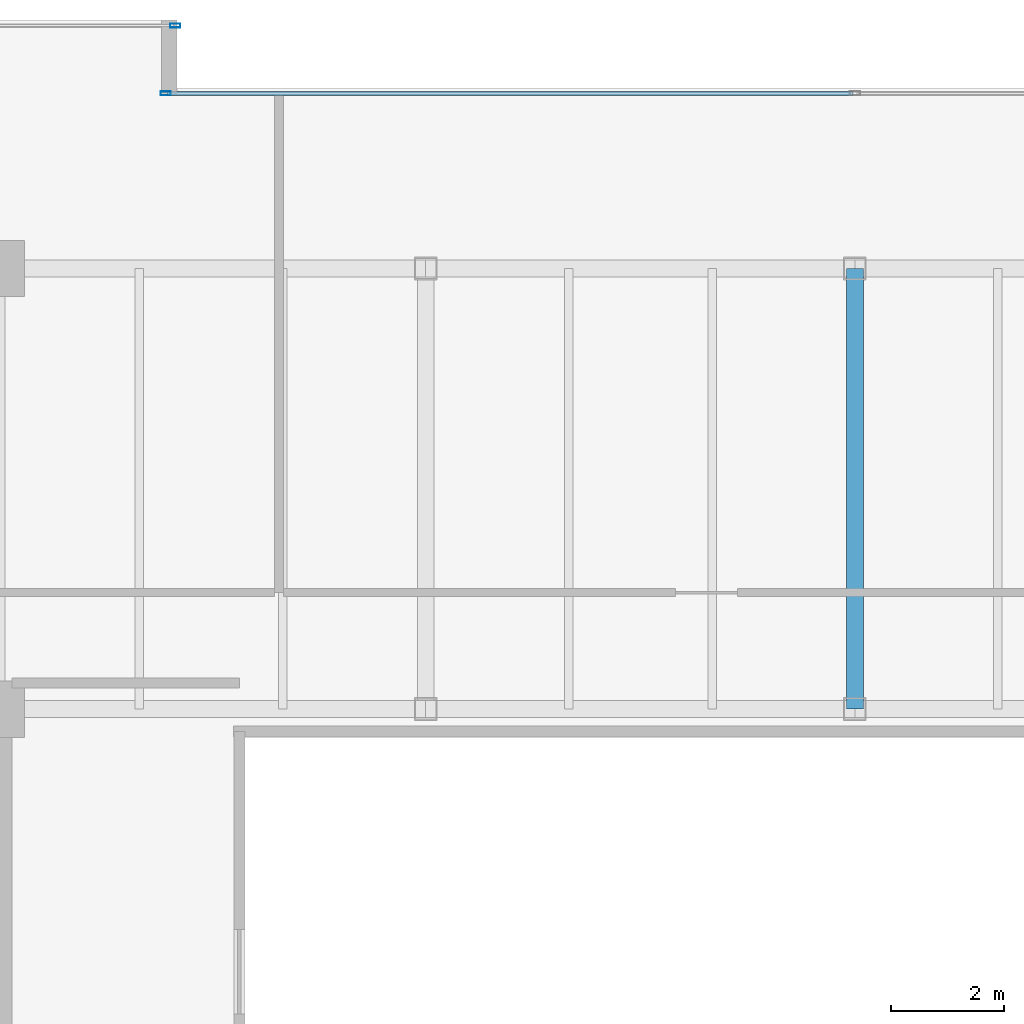
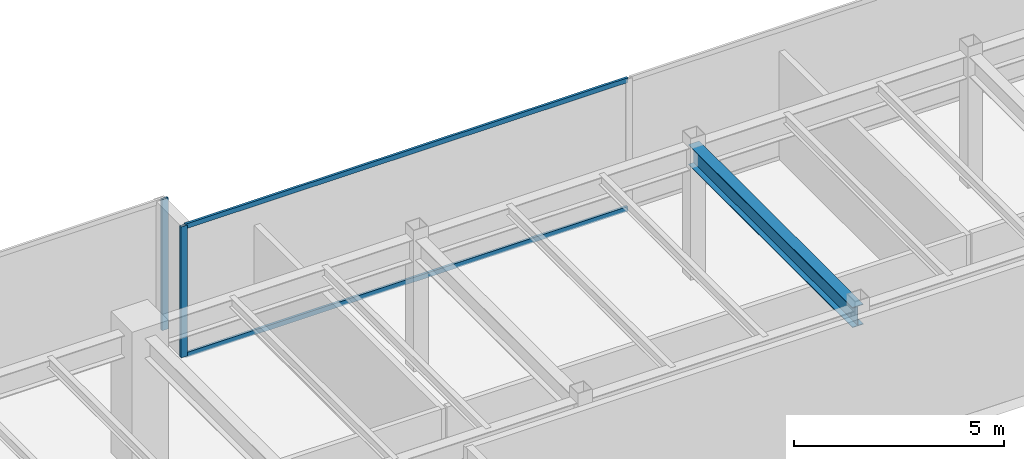
# One storey, part 17 of 33: 4 members, 1 beam, 2 elements without a shape of their own.
"""IFC4 building model written with IfcOpenShell, lengths in metres."""

from ifc_helpers import new_model, si_unit, direction, frame, origin, origin_2d, place, context, subcontext, project, spatial, hollow_rectangle, i_section, extrude, source, transform, mapped, material, layer, layer_set, material_profile, profile_set, type_object, type_shapes, element, aggregate, save


model = new_model("IFC4")

# Units and contexts
model_context = context("Model", 3, precision=1e-05, world=origin(), true_north=direction((0.0, 1.0)))
body_context = subcontext(model_context, "Body", "Model", "MODEL_VIEW")
ifc_project = project(units=[si_unit("LENGTHUNIT", "METRE"), si_unit("AREAUNIT", "SQUARE_METRE"), si_unit("VOLUMEUNIT", "CUBIC_METRE"), si_unit("PLANEANGLEUNIT", "RADIAN"), si_unit("MASSUNIT", "GRAM", prefix="KILO")], contexts=[model_context])

# Site, building, storey
site_placement = place(None, origin())
site = spatial("IfcSite", under=ifc_project, at=site_placement, CompositionType="ELEMENT")
building_placement = place(site_placement, origin())
building = spatial("IfcBuilding", under=site, at=building_placement, Name="Haelvirn Gate Laboratories", CompositionType="ELEMENT")
storey_placement = place(building_placement, frame((0.0, 0.0, 217.800048828125)))
storey = spatial("IfcBuildingStorey", under=building, at=storey_placement, Name="L52", CompositionType="ELEMENT", Elevation=217.800048828125)

# Beam
ifc_material_1 = material(Name="Steel SM355", Category="steel")
ifc_material_profile_1 = material_profile(ifc_material_1, i_section(OverallWidth=0.300048828125, OverallDepth=0.587890625, WebThickness=0.011962890625, FlangeThickness=0.02001953125, at=origin_2d()), Name="H-588x300x12x20")
ifc_profile_set_1 = profile_set([ifc_material_profile_1], Name="Steel SM355")
beam_type = type_object("IfcBeamType", Name="BM-G-588", PredefinedType="BEAM", material=ifc_profile_set_1)
shared_shape_1 = source(origin(), body_context, "Body", "SweptSolid", [
    extrude(i_section(OverallWidth=0.300048828125, OverallDepth=0.587890625, WebThickness=0.011962890625, FlangeThickness=0.02001953125, at=origin_2d()), origin(), (0.0, 0.0, 1.0), 7.800048828125),
])
type_shapes(beam_type, [shared_shape_1])
beam_placement = place(storey_placement, frame((37.39990234375, 33.800048828125, 3.505859375), z_axis=(0.0, 1.0, 0.0), x_axis=(-1.0, 0.0, 0.0)))
element("IfcBeam", 1, at=beam_placement, inside=storey, type_object=beam_type, Name="L52 Frame Girder X37.4 (33.8-41.6)", PredefinedType="BEAM", context=body_context, shape_type="MappedRepresentation", body=[
    mapped(shared_shape_1, transform((0.0, 0.0, 0.0), scale=1.0)),
])

# Curtain wall, members
ifc_material_2 = material(Name="Anodised bronze unitised aluminium & triple low-E glass", Category="aluminium")
ifc_layer = layer(ifc_material_2, 0.176025390625, Name="CW-SYS-4")
ifc_layer_set = layer_set([ifc_layer], Name="Anodised bronze unitised aluminium & triple low-E glass")
curtain_wall_type = type_object("IfcCurtainWallType", Name="CW-SYS-4", PredefinedType="NOTDEFINED", material=ifc_layer_set)
curtain_wall_1_placement = place(storey_placement, origin())
curtain_wall_1 = element("IfcCurtainWall", 2, at=curtain_wall_1_placement, inside=storey, type_object=curtain_wall_type, Name="L52 Unitised Curtain Wall CW-L52-P0-E12-1", PredefinedType="NOTDEFINED")
ifc_material_3 = material(Name="Extruded aluminium 6063-T6 (anodised bronze)", Category="aluminium")
ifc_material_profile_2 = material_profile(ifc_material_3, hollow_rectangle(XDim=0.06494140625, YDim=0.139892578125, WallThickness=0.00390625, at=origin_2d()), Name="CWT-140x65x4")
ifc_profile_set_2 = profile_set([ifc_material_profile_2], Name="Extruded aluminium 6063-T6 (anodised bronze)")
member_type_1 = type_object("IfcMemberType", Name="CWT-T140", PredefinedType="USERDEFINED", material=ifc_profile_set_2)
shared_shape_2 = source(origin(), body_context, "Body", "SweptSolid", [
    extrude(hollow_rectangle(XDim=0.06494140625, YDim=0.139892578125, WallThickness=0.00390625, at=origin_2d()), origin(), (0.0, 0.0, 1.0), 12.135009765625),
])
type_shapes(member_type_1, [shared_shape_2])
member_1_placement = place(storey_placement, frame((25.22998046875, 44.699951171875, 0.032470703125), z_axis=(1.0, 0.0, 0.0), x_axis=(0.0, 1.0, 0.0)))
member_1 = element("IfcMember", 3, at=member_1_placement, type_object=member_type_1, Name="CW4 transom 1.1", ObjectType="TRANSOM", PredefinedType="USERDEFINED", context=body_context, shape_type="MappedRepresentation", body=[
    mapped(shared_shape_2, transform((0.0, 0.0, 0.0), scale=1.0)),
])
member_2_placement = place(storey_placement, frame((25.22998046875, 44.699951171875, 3.767333984375), z_axis=(1.0, 0.0, 0.0), x_axis=(0.0, 1.0, 0.0)))
member_2 = element("IfcMember", 4, at=member_2_placement, type_object=member_type_1, Name="CW4 transom 1.2", ObjectType="TRANSOM", PredefinedType="USERDEFINED", context=body_context, shape_type="MappedRepresentation", body=[
    mapped(shared_shape_2, transform((0.0, 0.0, 0.0), scale=1.0)),
])
ifc_material_profile_3 = material_profile(ifc_material_3, hollow_rectangle(XDim=0.070068359375, YDim=0.179931640625, WallThickness=0.0048828125, at=origin_2d()), Name="CWM-180x70x5")
ifc_profile_set_3 = profile_set([ifc_material_profile_3], Name="Extruded aluminium 6063-T6 (anodised bronze)")
member_type_2 = type_object("IfcMemberType", Name="CWM-T180", PredefinedType="MULLION", material=ifc_profile_set_3)
shared_shape_3 = source(origin(), body_context, "Body", "SweptSolid", [
    extrude(hollow_rectangle(XDim=0.070068359375, YDim=0.179931640625, WallThickness=0.0048828125, at=origin_2d()), origin(), (0.0, 0.0, 1.0), 3.800048828125),
])
type_shapes(member_type_2, [shared_shape_3])
member_3_placement = place(storey_placement, frame((25.195068359375, 44.699951171875, 0.0), z_axis=(0.0, 0.0, 1.0), x_axis=(0.0, 1.0, 0.0)))
member_3 = element("IfcMember", 5, at=member_3_placement, type_object=member_type_2, Name="CW4 mullion 1", PredefinedType="MULLION", context=body_context, shape_type="MappedRepresentation", body=[
    mapped(shared_shape_3, transform((0.0, 0.0, 0.0), scale=1.0)),
])
aggregate(curtain_wall_1, [member_3, member_1, member_2])

# Curtain wall, member
curtain_wall_2_placement = place(storey_placement, origin())
curtain_wall_2 = element("IfcCurtainWall", 6, at=curtain_wall_2_placement, inside=storey, type_object=curtain_wall_type, Name="L52 Unitised Curtain Wall CW-L52-P0-E14-1", PredefinedType="NOTDEFINED")
member_4_placement = place(storey_placement, frame((25.364990234375, 45.89990234375, 0.0), z_axis=(0.0, 0.0, 1.0), x_axis=(0.0, 1.0, 0.0)))
member_4 = element("IfcMember", 7, at=member_4_placement, type_object=member_type_2, Name="CW4 mullion 3", PredefinedType="MULLION", context=body_context, shape_type="MappedRepresentation", body=[
    mapped(shared_shape_3, transform((0.0, 0.0, 0.0), scale=1.0)),
])
aggregate(curtain_wall_2, [member_4])

save(model, "model.ifc")
